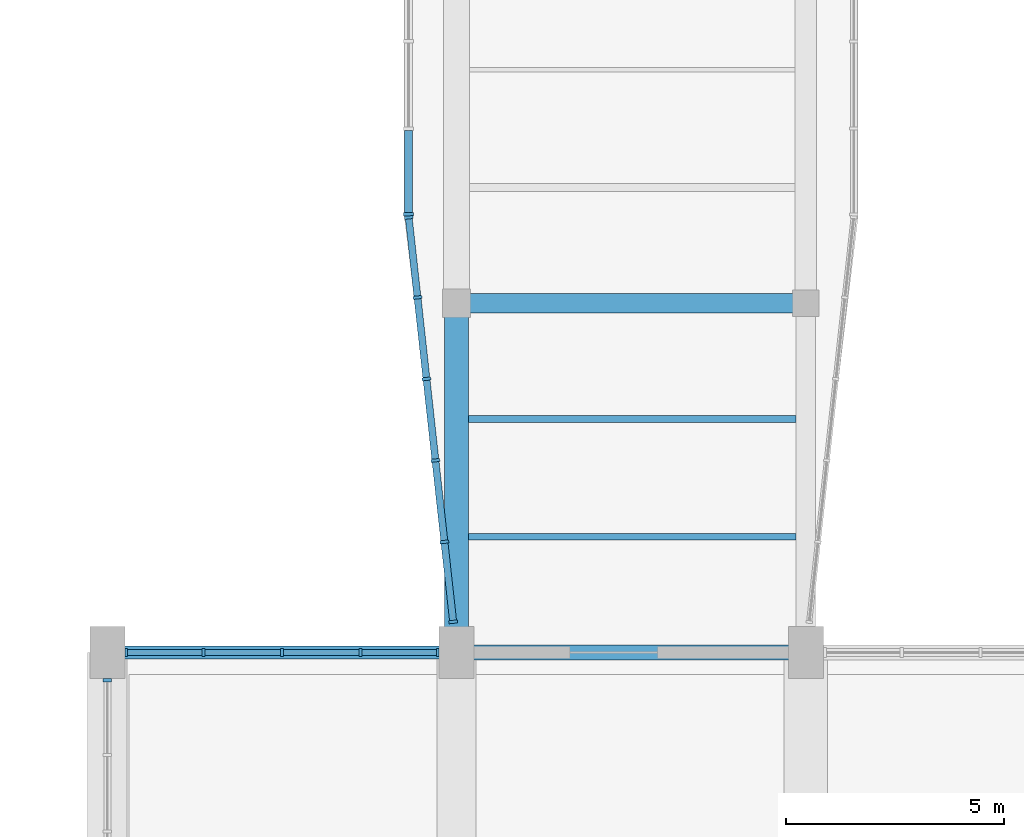
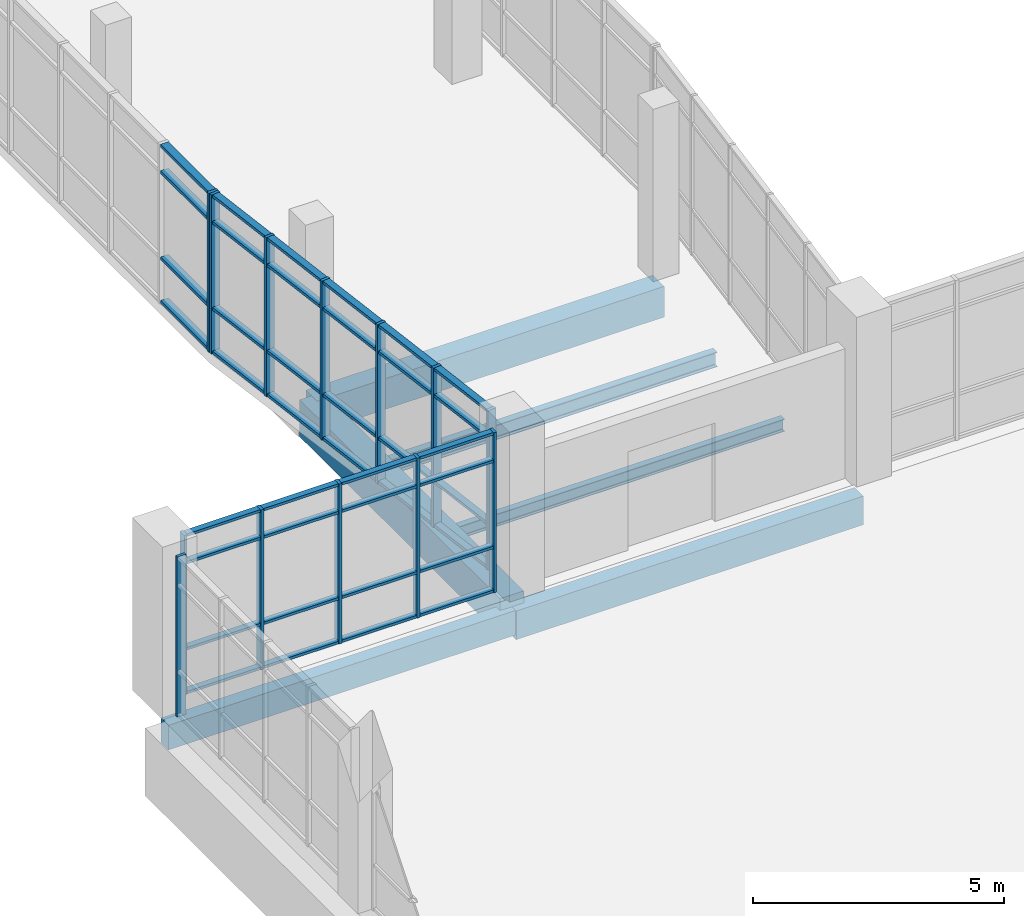
# One storey, part 10 of 84: 53 members, 6 beams, 4 elements without a shape of their own.
"""IFC4 building model written with IfcOpenShell, lengths in metres."""

from ifc_helpers import new_model, si_unit, direction, frame, origin, origin_2d, place, context, subcontext, project, spatial, rectangle, i_section, extrude, material, material_profile, profile_set, type_object, element, aggregate, save


model = new_model("IFC4")

# Units and contexts
model_context = context("Model", 3, precision=1e-05, world=origin(), true_north=direction((0.0, 1.0)))
body_context = subcontext(model_context, "Body", "Model", "MODEL_VIEW")
ifc_project = project(units=[si_unit("LENGTHUNIT", "METRE"), si_unit("AREAUNIT", "SQUARE_METRE"), si_unit("VOLUMEUNIT", "CUBIC_METRE"), si_unit("PLANEANGLEUNIT", "RADIAN"), si_unit("MASSUNIT", "GRAM", prefix="KILO")], contexts=[model_context])

# Site, building, storey
site_placement = place(None, origin())
site = spatial("IfcSite", under=ifc_project, at=site_placement, CompositionType="ELEMENT")
building_placement = place(site_placement, origin())
building = spatial("IfcBuilding", under=site, at=building_placement, Name="Tenunan Teduh Sports Hall", CompositionType="ELEMENT")
storey_placement = place(building_placement, frame((0.0, 0.0, 10.800048828125)))
storey = spatial("IfcBuildingStorey", under=building, at=storey_placement, Name="L02", CompositionType="ELEMENT", Elevation=10.800048828125)

# Beams
ifc_material_1 = material(Name="Concrete C40/50", Category="concrete")
ifc_material_profile_1 = material_profile(ifc_material_1, rectangle(XDim=0.300048828125, YDim=0.60009765625, at=origin_2d()), Name="RCB 300x600")
ifc_profile_set_1 = profile_set([ifc_material_profile_1], Name="Concrete C40/50")
beam_type_1 = type_object("IfcBeamType", Name="BM-RC-300x600", PredefinedType="BEAM", material=ifc_profile_set_1)
beam_1_placement = place(storey_placement, frame((6.0, 46.0, -0.85009765625), z_axis=(1.0, 0.0, 0.0), x_axis=(0.0, 1.0, 0.0)))
element("IfcBeam", 1, at=beam_1_placement, inside=storey, type_object=beam_type_1, Name="BM-B-03-L02-1464", PredefinedType="BEAM", context=body_context, shape_type="SweptSolid", body=[
    extrude(rectangle(XDim=0.300048828125, YDim=0.60009765625, at=origin_2d()), origin(), (0.0, 0.0, 1.0), 8.0),
])
ifc_material_2 = material(Name="Concrete C40/50", Category="concrete")
ifc_material_profile_2 = material_profile(ifc_material_2, rectangle(XDim=0.35009765625, YDim=0.699951171875, at=origin_2d()), Name="RCB 350x700")
ifc_profile_set_2 = profile_set([ifc_material_profile_2], Name="Concrete C40/50")
beam_type_2 = type_object("IfcBeamType", Name="BM-RC-350x700", PredefinedType="BEAM", material=ifc_profile_set_2)
beam_2_placement = place(storey_placement, frame((14.0, 46.0, -0.900146484375), z_axis=(1.0, 0.0, 0.0), x_axis=(0.0, 1.0, 0.0)))
element("IfcBeam", 2, at=beam_2_placement, inside=storey, type_object=beam_type_2, Name="BM-B-06-L02-1465", PredefinedType="BEAM", context=body_context, shape_type="SweptSolid", body=[
    extrude(rectangle(XDim=0.35009765625, YDim=0.699951171875, at=origin_2d()), origin(), (0.0, 0.0, 1.0), 8.0),
])
ifc_material_3 = material(Name="Concrete C40/50", Category="concrete")
ifc_material_profile_3 = material_profile(ifc_material_3, rectangle(XDim=0.449951171875, YDim=0.75, at=origin_2d()), Name="RCB 450x750")
ifc_profile_set_3 = profile_set([ifc_material_profile_3], Name="Concrete C40/50")
beam_type_3 = type_object("IfcBeamType", Name="BM-RC-450x750", PredefinedType="BEAM", material=ifc_profile_set_3)
beam_3_placement = place(storey_placement, frame((14.0, 54.0, -0.635009765625), z_axis=(1.0, 0.0, 0.0), x_axis=(0.0, 1.0, 0.0)))
element("IfcBeam", 3, at=beam_3_placement, inside=storey, type_object=beam_type_3, Name="BM-B-11-L02-1476", PredefinedType="BEAM", context=body_context, shape_type="SweptSolid", body=[
    extrude(rectangle(XDim=0.449951171875, YDim=0.75, at=origin_2d()), origin(), (0.0, 0.0, 1.0), 8.0),
])
ifc_material_4 = material(Name="Concrete C40/50", Category="concrete")
ifc_material_profile_4 = material_profile(ifc_material_4, rectangle(XDim=0.550048828125, YDim=0.89990234375, at=origin_2d()), Name="RCB 550x900")
ifc_profile_set_4 = profile_set([ifc_material_profile_4], Name="Concrete C40/50")
beam_type_4 = type_object("IfcBeamType", Name="BM-RC-550x900", PredefinedType="BEAM", material=ifc_profile_set_4)
beam_4_placement = place(storey_placement, frame((14.0, 46.0, -0.7099609375), z_axis=(0.0, 1.0, 0.0), x_axis=(-1.0, 0.0, 0.0)))
element("IfcBeam", 4, at=beam_4_placement, inside=storey, type_object=beam_type_4, Name="BM-B-16-L02-1575", PredefinedType="BEAM", context=body_context, shape_type="SweptSolid", body=[
    extrude(rectangle(XDim=0.550048828125, YDim=0.89990234375, at=origin_2d()), origin(), (0.0, 0.0, 1.0), 8.0),
])

# Curtain wall, members
ifc_material_5 = material(Name="Anodised aluminium", Category="aluminium")
curtain_wall_type_1 = type_object("IfcCurtainWallType", Name="CW-UNIT-2", PredefinedType="NOTDEFINED", material=ifc_material_5)
curtain_wall_1_placement = place(storey_placement, origin())
curtain_wall_1 = element("IfcCurtainWall", 5, at=curtain_wall_1_placement, inside=storey, type_object=curtain_wall_type_1, Name="CW-CWM-175-L02-058", PredefinedType="NOTDEFINED")
ifc_material_6 = material(Name="Anodised aluminium", Category="aluminium")
ifc_material_profile_5 = material_profile(ifc_material_6, rectangle(XDim=0.06494140625, YDim=0.175048828125, at=origin_2d()), Name="CWM 65x175")
ifc_profile_set_5 = profile_set([ifc_material_profile_5], Name="Anodised aluminium")
member_type_1 = type_object("IfcMemberType", Name="CWM-175", PredefinedType="MULLION", material=ifc_profile_set_5)
member_1_placement = place(storey_placement, frame((6.4326171875, 46.0, 0.0), z_axis=(0.0, 0.0, 1.0), x_axis=(1.0, 0.0, 0.0)))
member_1 = element("IfcMember", 6, at=member_1_placement, type_object=member_type_1, Name="CW-02 mullion 1", PredefinedType="MULLION", context=body_context, shape_type="SweptSolid", body=[
    extrude(rectangle(XDim=0.06494140625, YDim=0.175048828125, at=origin_2d()), origin(), (0.0, 0.0, 1.0), 3.89990234375),
])
member_2_placement = place(storey_placement, frame((8.199951171875, 46.0, 0.0), z_axis=(0.0, 0.0, 1.0), x_axis=(1.0, 0.0, 0.0)))
member_2 = element("IfcMember", 7, at=member_2_placement, type_object=member_type_1, Name="CW-02 mullion 2", PredefinedType="MULLION", context=body_context, shape_type="SweptSolid", body=[
    extrude(rectangle(XDim=0.06494140625, YDim=0.175048828125, at=origin_2d()), origin(), (0.0, 0.0, 1.0), 3.89990234375),
])
member_3_placement = place(storey_placement, frame((10.0, 46.0, 0.0), z_axis=(0.0, 0.0, 1.0), x_axis=(1.0, 0.0, 0.0)))
member_3 = element("IfcMember", 8, at=member_3_placement, type_object=member_type_1, Name="CW-02 mullion 3", PredefinedType="MULLION", context=body_context, shape_type="SweptSolid", body=[
    extrude(rectangle(XDim=0.06494140625, YDim=0.175048828125, at=origin_2d()), origin(), (0.0, 0.0, 1.0), 3.89990234375),
])
member_4_placement = place(storey_placement, frame((11.800048828125, 46.0, 0.0), z_axis=(0.0, 0.0, 1.0), x_axis=(1.0, 0.0, 0.0)))
member_4 = element("IfcMember", 9, at=member_4_placement, type_object=member_type_1, Name="CW-02 mullion 4", PredefinedType="MULLION", context=body_context, shape_type="SweptSolid", body=[
    extrude(rectangle(XDim=0.06494140625, YDim=0.175048828125, at=origin_2d()), origin(), (0.0, 0.0, 1.0), 3.89990234375),
])
member_5_placement = place(storey_placement, frame((13.5673828125, 46.0, 0.0), z_axis=(0.0, 0.0, 1.0), x_axis=(1.0, 0.0, 0.0)))
member_5 = element("IfcMember", 10, at=member_5_placement, type_object=member_type_1, Name="CW-02 mullion 5", PredefinedType="MULLION", context=body_context, shape_type="SweptSolid", body=[
    extrude(rectangle(XDim=0.06494140625, YDim=0.175048828125, at=origin_2d()), origin(), (0.0, 0.0, 1.0), 3.89990234375),
])

# Curtain wall, member
curtain_wall_2_placement = place(storey_placement, origin())
curtain_wall_2 = element("IfcCurtainWall", 11, at=curtain_wall_2_placement, inside=storey, type_object=curtain_wall_type_1, Name="CW-CWM-200-L02-072", PredefinedType="NOTDEFINED")
ifc_material_7 = material(Name="Anodised aluminium", Category="aluminium")
ifc_material_profile_6 = material_profile(ifc_material_7, rectangle(XDim=0.070068359375, YDim=0.199951171875, at=origin_2d()), Name="CWM 70x200")
ifc_profile_set_6 = profile_set([ifc_material_profile_6], Name="Anodised aluminium")
member_type_2 = type_object("IfcMemberType", Name="CWM-200", PredefinedType="MULLION", material=ifc_profile_set_6)
member_6_placement = place(storey_placement, frame((6.0, 45.364990234375, 0.0), z_axis=(0.0, 0.0, 1.0), x_axis=(0.0, 1.0, 0.0)))
member_6 = element("IfcMember", 12, at=member_6_placement, type_object=member_type_2, Name="CW-02 mullion 5", PredefinedType="MULLION", context=body_context, shape_type="SweptSolid", body=[
    extrude(rectangle(XDim=0.070068359375, YDim=0.199951171875, at=origin_2d()), origin(), (0.0, 0.0, 1.0), 3.89990234375),
])
aggregate(curtain_wall_2, [member_6])

# Curtain wall, members
ifc_material_8 = material(Name="Anodised aluminium", Category="aluminium")
curtain_wall_type_2 = type_object("IfcCurtainWallType", Name="CW-BRIDGE-1", PredefinedType="NOTDEFINED", material=ifc_material_8)
curtain_wall_3_placement = place(storey_placement, origin())
curtain_wall_3 = element("IfcCurtainWall", 13, at=curtain_wall_3_placement, inside=storey, type_object=curtain_wall_type_2, Name="CW-CWM-200-L02-184", PredefinedType="NOTDEFINED")
member_7_placement = place(storey_placement, frame((13.922607421875, 46.702880859375, 0.0), z_axis=(0.0, 0.0, 1.0), x_axis=(-0.109338770491, 0.994004543887, 0.0)))
member_7 = element("IfcMember", 14, at=member_7_placement, type_object=member_type_2, Name="CW-05 mullion 1", PredefinedType="MULLION", context=body_context, shape_type="SweptSolid", body=[
    extrude(rectangle(XDim=0.070068359375, YDim=0.199951171875, at=origin_2d()), origin(), (0.0, 0.0, 1.0), 3.8798828125),
])
member_8_placement = place(storey_placement, frame((13.72119140625, 48.534423828125, 0.0), z_axis=(0.0, 0.0, 1.0), x_axis=(-0.109338770491, 0.994004543887, 0.0)))
member_8 = element("IfcMember", 15, at=member_8_placement, type_object=member_type_2, Name="CW-05 mullion 2", PredefinedType="MULLION", context=body_context, shape_type="SweptSolid", body=[
    extrude(rectangle(XDim=0.070068359375, YDim=0.199951171875, at=origin_2d()), origin(), (0.0, 0.0, 1.0), 3.8798828125),
])
member_9_placement = place(storey_placement, frame((13.515869140625, 50.40087890625, 0.0), z_axis=(0.0, 0.0, 1.0), x_axis=(-0.109338770491, 0.994004543887, 0.0)))
member_9 = element("IfcMember", 16, at=member_9_placement, type_object=member_type_2, Name="CW-05 mullion 3", PredefinedType="MULLION", context=body_context, shape_type="SweptSolid", body=[
    extrude(rectangle(XDim=0.070068359375, YDim=0.199951171875, at=origin_2d()), origin(), (0.0, 0.0, 1.0), 3.8798828125),
])
member_10_placement = place(storey_placement, frame((13.310546875, 52.267333984375, 0.0), z_axis=(0.0, 0.0, 1.0), x_axis=(-0.109338770491, 0.994004543887, 0.0)))
member_10 = element("IfcMember", 17, at=member_10_placement, type_object=member_type_2, Name="CW-05 mullion 4", PredefinedType="MULLION", context=body_context, shape_type="SweptSolid", body=[
    extrude(rectangle(XDim=0.070068359375, YDim=0.199951171875, at=origin_2d()), origin(), (0.0, 0.0, 1.0), 3.8798828125),
])
member_11_placement = place(storey_placement, frame((13.105224609375, 54.133544921875, 0.0), z_axis=(0.0, 0.0, 1.0), x_axis=(-0.109338770491, 0.994004543887, 0.0)))
member_11 = element("IfcMember", 18, at=member_11_placement, type_object=member_type_2, Name="CW-05 mullion 5", PredefinedType="MULLION", context=body_context, shape_type="SweptSolid", body=[
    extrude(rectangle(XDim=0.070068359375, YDim=0.199951171875, at=origin_2d()), origin(), (0.0, 0.0, 1.0), 3.8798828125),
])
member_12_placement = place(storey_placement, frame((12.90380859375, 55.965087890625, 0.0), z_axis=(0.0, 0.0, 1.0), x_axis=(-0.109338770491, 0.994004543887, 0.0)))
member_12 = element("IfcMember", 19, at=member_12_placement, type_object=member_type_2, Name="CW-05 mullion 6", PredefinedType="MULLION", context=body_context, shape_type="SweptSolid", body=[
    extrude(rectangle(XDim=0.070068359375, YDim=0.199951171875, at=origin_2d()), origin(), (0.0, 0.0, 1.0), 3.8798828125),
])

# Curtain wall, member
curtain_wall_4_placement = place(storey_placement, origin())
curtain_wall_4 = element("IfcCurtainWall", 20, at=curtain_wall_4_placement, inside=storey, type_object=curtain_wall_type_2, Name="CW-CWM-220-L02-185", PredefinedType="NOTDEFINED")
ifc_material_9 = material(Name="Anodised aluminium", Category="aluminium")
ifc_material_profile_7 = material_profile(ifc_material_9, rectangle(XDim=0.074951171875, YDim=0.219970703125, at=origin_2d()), Name="CWM 75x220")
ifc_profile_set_7 = profile_set([ifc_material_profile_7], Name="Anodised aluminium")
member_type_3 = type_object("IfcMemberType", Name="CWM-220", PredefinedType="MULLION", material=ifc_profile_set_7)
member_13_placement = place(storey_placement, frame((12.89990234375, 56.03759765625, 0.0), z_axis=(0.0, 0.0, 1.0), x_axis=(0.0, 1.0, 0.0)))
member_13 = element("IfcMember", 21, at=member_13_placement, type_object=member_type_3, Name="CW-05 mullion 1", PredefinedType="MULLION", context=body_context, shape_type="SweptSolid", body=[
    extrude(rectangle(XDim=0.074951171875, YDim=0.219970703125, at=origin_2d()), origin(), (0.0, 0.0, 1.0), 3.8798828125),
])

# Member
ifc_material_10 = material(Name="Anodised aluminium", Category="aluminium")
ifc_material_profile_8 = material_profile(ifc_material_10, rectangle(XDim=0.06494140625, YDim=0.139892578125, at=origin_2d()), Name="CWT 65x140")
ifc_profile_set_8 = profile_set([ifc_material_profile_8], Name="Anodised aluminium")
member_type_4 = type_object("IfcMemberType", Name="CWT-150", PredefinedType="USERDEFINED", material=ifc_profile_set_8)
member_14_placement = place(storey_placement, frame((6.465087890625, 46.0, 0.032470703125), z_axis=(1.0, 0.0, 0.0), x_axis=(0.0, 0.0, 1.0)))
member_14 = element("IfcMember", 22, at=member_14_placement, type_object=member_type_4, Name="CW-02 transom 1.1", ObjectType="TRANSOM", PredefinedType="USERDEFINED", context=body_context, shape_type="SweptSolid", body=[
    extrude(rectangle(XDim=0.06494140625, YDim=0.139892578125, at=origin_2d()), origin(), (0.0, 0.0, 1.0), 1.702392578125),
])

member_15_placement = place(storey_placement, frame((6.465087890625, 46.0, 1.099853515625), z_axis=(1.0, 0.0, 0.0), x_axis=(0.0, 0.0, 1.0)))
member_15 = element("IfcMember", 23, at=member_15_placement, type_object=member_type_4, Name="CW-02 transom 1.2", ObjectType="TRANSOM", PredefinedType="USERDEFINED", context=body_context, shape_type="SweptSolid", body=[
    extrude(rectangle(XDim=0.06494140625, YDim=0.139892578125, at=origin_2d()), origin(), (0.0, 0.0, 1.0), 1.702392578125),
])

member_16_placement = place(storey_placement, frame((6.465087890625, 46.0, 3.199951171875), z_axis=(1.0, 0.0, 0.0), x_axis=(0.0, 0.0, 1.0)))
member_16 = element("IfcMember", 24, at=member_16_placement, type_object=member_type_4, Name="CW-02 transom 1.3", ObjectType="TRANSOM", PredefinedType="USERDEFINED", context=body_context, shape_type="SweptSolid", body=[
    extrude(rectangle(XDim=0.06494140625, YDim=0.139892578125, at=origin_2d()), origin(), (0.0, 0.0, 1.0), 1.702392578125),
])

member_17_placement = place(storey_placement, frame((6.465087890625, 46.0, 3.867431640625), z_axis=(1.0, 0.0, 0.0), x_axis=(0.0, 0.0, 1.0)))
member_17 = element("IfcMember", 25, at=member_17_placement, type_object=member_type_4, Name="CW-02 transom 1.4", ObjectType="TRANSOM", PredefinedType="USERDEFINED", context=body_context, shape_type="SweptSolid", body=[
    extrude(rectangle(XDim=0.06494140625, YDim=0.139892578125, at=origin_2d()), origin(), (0.0, 0.0, 1.0), 1.702392578125),
])

member_18_placement = place(storey_placement, frame((8.232421875, 46.0, 0.032470703125), z_axis=(1.0, 0.0, 0.0), x_axis=(0.0, 0.0, 1.0)))
member_18 = element("IfcMember", 26, at=member_18_placement, type_object=member_type_4, Name="CW-02 transom 2.1", ObjectType="TRANSOM", PredefinedType="USERDEFINED", context=body_context, shape_type="SweptSolid", body=[
    extrude(rectangle(XDim=0.06494140625, YDim=0.139892578125, at=origin_2d()), origin(), (0.0, 0.0, 1.0), 1.735107421875),
])

member_19_placement = place(storey_placement, frame((8.232421875, 46.0, 1.099853515625), z_axis=(1.0, 0.0, 0.0), x_axis=(0.0, 0.0, 1.0)))
member_19 = element("IfcMember", 27, at=member_19_placement, type_object=member_type_4, Name="CW-02 transom 2.2", ObjectType="TRANSOM", PredefinedType="USERDEFINED", context=body_context, shape_type="SweptSolid", body=[
    extrude(rectangle(XDim=0.06494140625, YDim=0.139892578125, at=origin_2d()), origin(), (0.0, 0.0, 1.0), 1.735107421875),
])

member_20_placement = place(storey_placement, frame((8.232421875, 46.0, 3.199951171875), z_axis=(1.0, 0.0, 0.0), x_axis=(0.0, 0.0, 1.0)))
member_20 = element("IfcMember", 28, at=member_20_placement, type_object=member_type_4, Name="CW-02 transom 2.3", ObjectType="TRANSOM", PredefinedType="USERDEFINED", context=body_context, shape_type="SweptSolid", body=[
    extrude(rectangle(XDim=0.06494140625, YDim=0.139892578125, at=origin_2d()), origin(), (0.0, 0.0, 1.0), 1.735107421875),
])

member_21_placement = place(storey_placement, frame((8.232421875, 46.0, 3.867431640625), z_axis=(1.0, 0.0, 0.0), x_axis=(0.0, 0.0, 1.0)))
member_21 = element("IfcMember", 29, at=member_21_placement, type_object=member_type_4, Name="CW-02 transom 2.4", ObjectType="TRANSOM", PredefinedType="USERDEFINED", context=body_context, shape_type="SweptSolid", body=[
    extrude(rectangle(XDim=0.06494140625, YDim=0.139892578125, at=origin_2d()), origin(), (0.0, 0.0, 1.0), 1.735107421875),
])

member_22_placement = place(storey_placement, frame((10.032470703125, 46.0, 0.032470703125), z_axis=(1.0, 0.0, 0.0), x_axis=(0.0, 0.0, 1.0)))
member_22 = element("IfcMember", 30, at=member_22_placement, type_object=member_type_4, Name="CW-02 transom 3.1", ObjectType="TRANSOM", PredefinedType="USERDEFINED", context=body_context, shape_type="SweptSolid", body=[
    extrude(rectangle(XDim=0.06494140625, YDim=0.139892578125, at=origin_2d()), origin(), (0.0, 0.0, 1.0), 1.735107421875),
])

member_23_placement = place(storey_placement, frame((10.032470703125, 46.0, 1.099853515625), z_axis=(1.0, 0.0, 0.0), x_axis=(0.0, 0.0, 1.0)))
member_23 = element("IfcMember", 31, at=member_23_placement, type_object=member_type_4, Name="CW-02 transom 3.2", ObjectType="TRANSOM", PredefinedType="USERDEFINED", context=body_context, shape_type="SweptSolid", body=[
    extrude(rectangle(XDim=0.06494140625, YDim=0.139892578125, at=origin_2d()), origin(), (0.0, 0.0, 1.0), 1.735107421875),
])

member_24_placement = place(storey_placement, frame((10.032470703125, 46.0, 3.199951171875), z_axis=(1.0, 0.0, 0.0), x_axis=(0.0, 0.0, 1.0)))
member_24 = element("IfcMember", 32, at=member_24_placement, type_object=member_type_4, Name="CW-02 transom 3.3", ObjectType="TRANSOM", PredefinedType="USERDEFINED", context=body_context, shape_type="SweptSolid", body=[
    extrude(rectangle(XDim=0.06494140625, YDim=0.139892578125, at=origin_2d()), origin(), (0.0, 0.0, 1.0), 1.735107421875),
])

member_25_placement = place(storey_placement, frame((10.032470703125, 46.0, 3.867431640625), z_axis=(1.0, 0.0, 0.0), x_axis=(0.0, 0.0, 1.0)))
member_25 = element("IfcMember", 33, at=member_25_placement, type_object=member_type_4, Name="CW-02 transom 3.4", ObjectType="TRANSOM", PredefinedType="USERDEFINED", context=body_context, shape_type="SweptSolid", body=[
    extrude(rectangle(XDim=0.06494140625, YDim=0.139892578125, at=origin_2d()), origin(), (0.0, 0.0, 1.0), 1.735107421875),
])

member_26_placement = place(storey_placement, frame((11.83251953125, 46.0, 0.032470703125), z_axis=(1.0, 0.0, 0.0), x_axis=(0.0, 0.0, 1.0)))
member_26 = element("IfcMember", 34, at=member_26_placement, type_object=member_type_4, Name="CW-02 transom 4.1", ObjectType="TRANSOM", PredefinedType="USERDEFINED", context=body_context, shape_type="SweptSolid", body=[
    extrude(rectangle(XDim=0.06494140625, YDim=0.139892578125, at=origin_2d()), origin(), (0.0, 0.0, 1.0), 1.702392578125),
])

member_27_placement = place(storey_placement, frame((11.83251953125, 46.0, 1.099853515625), z_axis=(1.0, 0.0, 0.0), x_axis=(0.0, 0.0, 1.0)))
member_27 = element("IfcMember", 35, at=member_27_placement, type_object=member_type_4, Name="CW-02 transom 4.2", ObjectType="TRANSOM", PredefinedType="USERDEFINED", context=body_context, shape_type="SweptSolid", body=[
    extrude(rectangle(XDim=0.06494140625, YDim=0.139892578125, at=origin_2d()), origin(), (0.0, 0.0, 1.0), 1.702392578125),
])

member_28_placement = place(storey_placement, frame((11.83251953125, 46.0, 3.199951171875), z_axis=(1.0, 0.0, 0.0), x_axis=(0.0, 0.0, 1.0)))
member_28 = element("IfcMember", 36, at=member_28_placement, type_object=member_type_4, Name="CW-02 transom 4.3", ObjectType="TRANSOM", PredefinedType="USERDEFINED", context=body_context, shape_type="SweptSolid", body=[
    extrude(rectangle(XDim=0.06494140625, YDim=0.139892578125, at=origin_2d()), origin(), (0.0, 0.0, 1.0), 1.702392578125),
])

member_29_placement = place(storey_placement, frame((11.83251953125, 46.0, 3.867431640625), z_axis=(1.0, 0.0, 0.0), x_axis=(0.0, 0.0, 1.0)))
member_29 = element("IfcMember", 37, at=member_29_placement, type_object=member_type_4, Name="CW-02 transom 4.4", ObjectType="TRANSOM", PredefinedType="USERDEFINED", context=body_context, shape_type="SweptSolid", body=[
    extrude(rectangle(XDim=0.06494140625, YDim=0.139892578125, at=origin_2d()), origin(), (0.0, 0.0, 1.0), 1.702392578125),
])

aggregate(curtain_wall_1, [member_1, member_2, member_3, member_4, member_5, member_14, member_15, member_16, member_17, member_18, member_19, member_20, member_21, member_22, member_23, member_24, member_25, member_26, member_27, member_28, member_29])

ifc_material_11 = material(Name="Anodised aluminium", Category="aluminium")
ifc_material_profile_9 = material_profile(ifc_material_11, rectangle(XDim=0.074951171875, YDim=0.179931640625, at=origin_2d()), Name="CWT 75x180")
ifc_profile_set_9 = profile_set([ifc_material_profile_9], Name="Anodised aluminium")
member_type_5 = type_object("IfcMemberType", Name="CWT-180", PredefinedType="USERDEFINED", material=ifc_profile_set_9)
member_30_placement = place(storey_placement, frame((12.89990234375, 56.074951171875, 0.037353515625), z_axis=(0.0, 1.0, 0.0), x_axis=(0.0, 0.0, 1.0)))
member_30 = element("IfcMember", 38, at=member_30_placement, type_object=member_type_5, Name="CW-05 transom 1.1", ObjectType="TRANSOM", PredefinedType="USERDEFINED", context=body_context, shape_type="SweptSolid", body=[
    extrude(rectangle(XDim=0.074951171875, YDim=0.179931640625, at=origin_2d()), origin(), (0.0, 0.0, 1.0), 1.887451171875),
])

member_31_placement = place(storey_placement, frame((12.89990234375, 56.074951171875, 1.099853515625), z_axis=(0.0, 1.0, 0.0), x_axis=(0.0, 0.0, 1.0)))
member_31 = element("IfcMember", 39, at=member_31_placement, type_object=member_type_5, Name="CW-05 transom 1.2", ObjectType="TRANSOM", PredefinedType="USERDEFINED", context=body_context, shape_type="SweptSolid", body=[
    extrude(rectangle(XDim=0.074951171875, YDim=0.179931640625, at=origin_2d()), origin(), (0.0, 0.0, 1.0), 1.887451171875),
])

member_32_placement = place(storey_placement, frame((12.89990234375, 56.074951171875, 3.199951171875), z_axis=(0.0, 1.0, 0.0), x_axis=(0.0, 0.0, 1.0)))
member_32 = element("IfcMember", 40, at=member_32_placement, type_object=member_type_5, Name="CW-05 transom 1.3", ObjectType="TRANSOM", PredefinedType="USERDEFINED", context=body_context, shape_type="SweptSolid", body=[
    extrude(rectangle(XDim=0.074951171875, YDim=0.179931640625, at=origin_2d()), origin(), (0.0, 0.0, 1.0), 1.887451171875),
])

member_33_placement = place(storey_placement, frame((12.89990234375, 56.074951171875, 3.842529296875), z_axis=(0.0, 1.0, 0.0), x_axis=(0.0, 0.0, 1.0)))
member_33 = element("IfcMember", 41, at=member_33_placement, type_object=member_type_5, Name="CW-05 transom 1.4", ObjectType="TRANSOM", PredefinedType="USERDEFINED", context=body_context, shape_type="SweptSolid", body=[
    extrude(rectangle(XDim=0.074951171875, YDim=0.179931640625, at=origin_2d()), origin(), (0.0, 0.0, 1.0), 1.887451171875),
])

aggregate(curtain_wall_4, [member_13, member_30, member_31, member_32, member_33])

ifc_material_12 = material(Name="Anodised aluminium", Category="aluminium")
ifc_material_profile_10 = material_profile(ifc_material_12, rectangle(XDim=0.070068359375, YDim=0.159912109375, at=origin_2d()), Name="CWT 70x160")
ifc_profile_set_10 = profile_set([ifc_material_profile_10], Name="Anodised aluminium")
member_type_6 = type_object("IfcMemberType", Name="CWT-200", PredefinedType="USERDEFINED", material=ifc_profile_set_10)
member_34_placement = place(storey_placement, frame((13.9189453125, 46.73779296875, 0.034912109375), z_axis=(-0.109358170065, 0.994002409776, 0.0), x_axis=(0.0, 0.0, 1.0)))
member_34 = element("IfcMember", 42, at=member_34_placement, type_object=member_type_6, Name="CW-05 transom 1.1", ObjectType="TRANSOM", PredefinedType="USERDEFINED", context=body_context, shape_type="SweptSolid", body=[
    extrude(rectangle(XDim=0.070068359375, YDim=0.159912109375, at=origin_2d()), origin(), (0.0, 0.0, 1.0), 1.772705078125),
])

member_35_placement = place(storey_placement, frame((13.9189453125, 46.73779296875, 1.099853515625), z_axis=(-0.109358170065, 0.994002409776, 0.0), x_axis=(0.0, 0.0, 1.0)))
member_35 = element("IfcMember", 43, at=member_35_placement, type_object=member_type_6, Name="CW-05 transom 1.2", ObjectType="TRANSOM", PredefinedType="USERDEFINED", context=body_context, shape_type="SweptSolid", body=[
    extrude(rectangle(XDim=0.070068359375, YDim=0.159912109375, at=origin_2d()), origin(), (0.0, 0.0, 1.0), 1.772705078125),
])

member_36_placement = place(storey_placement, frame((13.9189453125, 46.73779296875, 3.199951171875), z_axis=(-0.109358170065, 0.994002409776, 0.0), x_axis=(0.0, 0.0, 1.0)))
member_36 = element("IfcMember", 44, at=member_36_placement, type_object=member_type_6, Name="CW-05 transom 1.3", ObjectType="TRANSOM", PredefinedType="USERDEFINED", context=body_context, shape_type="SweptSolid", body=[
    extrude(rectangle(XDim=0.070068359375, YDim=0.159912109375, at=origin_2d()), origin(), (0.0, 0.0, 1.0), 1.772705078125),
])

member_37_placement = place(storey_placement, frame((13.9189453125, 46.73779296875, 3.844970703125), z_axis=(-0.109358170065, 0.994002409776, 0.0), x_axis=(0.0, 0.0, 1.0)))
member_37 = element("IfcMember", 45, at=member_37_placement, type_object=member_type_6, Name="CW-05 transom 1.4", ObjectType="TRANSOM", PredefinedType="USERDEFINED", context=body_context, shape_type="SweptSolid", body=[
    extrude(rectangle(XDim=0.070068359375, YDim=0.159912109375, at=origin_2d()), origin(), (0.0, 0.0, 1.0), 1.772705078125),
])

member_38_placement = place(storey_placement, frame((13.71728515625, 48.5693359375, 0.034912109375), z_axis=(-0.109275083805, 0.994011547246, 0.0), x_axis=(0.0, 0.0, 1.0)))
member_38 = element("IfcMember", 46, at=member_38_placement, type_object=member_type_6, Name="CW-05 transom 2.1", ObjectType="TRANSOM", PredefinedType="USERDEFINED", context=body_context, shape_type="SweptSolid", body=[
    extrude(rectangle(XDim=0.070068359375, YDim=0.159912109375, at=origin_2d()), origin(), (0.0, 0.0, 1.0), 1.807373046875),
])

member_39_placement = place(storey_placement, frame((13.71728515625, 48.5693359375, 1.099853515625), z_axis=(-0.109275083805, 0.994011547246, 0.0), x_axis=(0.0, 0.0, 1.0)))
member_39 = element("IfcMember", 47, at=member_39_placement, type_object=member_type_6, Name="CW-05 transom 2.2", ObjectType="TRANSOM", PredefinedType="USERDEFINED", context=body_context, shape_type="SweptSolid", body=[
    extrude(rectangle(XDim=0.070068359375, YDim=0.159912109375, at=origin_2d()), origin(), (0.0, 0.0, 1.0), 1.807373046875),
])

member_40_placement = place(storey_placement, frame((13.71728515625, 48.5693359375, 3.199951171875), z_axis=(-0.109275083805, 0.994011547246, 0.0), x_axis=(0.0, 0.0, 1.0)))
member_40 = element("IfcMember", 48, at=member_40_placement, type_object=member_type_6, Name="CW-05 transom 2.3", ObjectType="TRANSOM", PredefinedType="USERDEFINED", context=body_context, shape_type="SweptSolid", body=[
    extrude(rectangle(XDim=0.070068359375, YDim=0.159912109375, at=origin_2d()), origin(), (0.0, 0.0, 1.0), 1.807373046875),
])

member_41_placement = place(storey_placement, frame((13.71728515625, 48.5693359375, 3.844970703125), z_axis=(-0.109275083805, 0.994011547246, 0.0), x_axis=(0.0, 0.0, 1.0)))
member_41 = element("IfcMember", 49, at=member_41_placement, type_object=member_type_6, Name="CW-05 transom 2.4", ObjectType="TRANSOM", PredefinedType="USERDEFINED", context=body_context, shape_type="SweptSolid", body=[
    extrude(rectangle(XDim=0.070068359375, YDim=0.159912109375, at=origin_2d()), origin(), (0.0, 0.0, 1.0), 1.807373046875),
])

member_42_placement = place(storey_placement, frame((13.511962890625, 50.435546875, 0.034912109375), z_axis=(-0.109260413902, 0.994013159849, 0.0), x_axis=(0.0, 0.0, 1.0)))
member_42 = element("IfcMember", 50, at=member_42_placement, type_object=member_type_6, Name="CW-05 transom 3.1", ObjectType="TRANSOM", PredefinedType="USERDEFINED", context=body_context, shape_type="SweptSolid", body=[
    extrude(rectangle(XDim=0.070068359375, YDim=0.159912109375, at=origin_2d()), origin(), (0.0, 0.0, 1.0), 1.8076171875),
])

member_43_placement = place(storey_placement, frame((13.511962890625, 50.435546875, 1.099853515625), z_axis=(-0.109260413902, 0.994013159849, 0.0), x_axis=(0.0, 0.0, 1.0)))
member_43 = element("IfcMember", 51, at=member_43_placement, type_object=member_type_6, Name="CW-05 transom 3.2", ObjectType="TRANSOM", PredefinedType="USERDEFINED", context=body_context, shape_type="SweptSolid", body=[
    extrude(rectangle(XDim=0.070068359375, YDim=0.159912109375, at=origin_2d()), origin(), (0.0, 0.0, 1.0), 1.8076171875),
])

member_44_placement = place(storey_placement, frame((13.511962890625, 50.435546875, 3.199951171875), z_axis=(-0.109260413902, 0.994013159849, 0.0), x_axis=(0.0, 0.0, 1.0)))
member_44 = element("IfcMember", 52, at=member_44_placement, type_object=member_type_6, Name="CW-05 transom 3.3", ObjectType="TRANSOM", PredefinedType="USERDEFINED", context=body_context, shape_type="SweptSolid", body=[
    extrude(rectangle(XDim=0.070068359375, YDim=0.159912109375, at=origin_2d()), origin(), (0.0, 0.0, 1.0), 1.8076171875),
])

member_45_placement = place(storey_placement, frame((13.511962890625, 50.435546875, 3.844970703125), z_axis=(-0.109260413902, 0.994013159849, 0.0), x_axis=(0.0, 0.0, 1.0)))
member_45 = element("IfcMember", 53, at=member_45_placement, type_object=member_type_6, Name="CW-05 transom 3.4", ObjectType="TRANSOM", PredefinedType="USERDEFINED", context=body_context, shape_type="SweptSolid", body=[
    extrude(rectangle(XDim=0.070068359375, YDim=0.159912109375, at=origin_2d()), origin(), (0.0, 0.0, 1.0), 1.8076171875),
])

member_46_placement = place(storey_placement, frame((13.306884765625, 52.302001953125, 0.034912109375), z_axis=(-0.109393854805, 0.993998483163, 0.0), x_axis=(0.0, 0.0, 1.0)))
member_46 = element("IfcMember", 54, at=member_46_placement, type_object=member_type_6, Name="CW-05 transom 4.1", ObjectType="TRANSOM", PredefinedType="USERDEFINED", context=body_context, shape_type="SweptSolid", body=[
    extrude(rectangle(XDim=0.070068359375, YDim=0.159912109375, at=origin_2d()), origin(), (0.0, 0.0, 1.0), 1.8076171875),
])

member_47_placement = place(storey_placement, frame((13.306884765625, 52.302001953125, 1.099853515625), z_axis=(-0.109393854805, 0.993998483163, 0.0), x_axis=(0.0, 0.0, 1.0)))
member_47 = element("IfcMember", 55, at=member_47_placement, type_object=member_type_6, Name="CW-05 transom 4.2", ObjectType="TRANSOM", PredefinedType="USERDEFINED", context=body_context, shape_type="SweptSolid", body=[
    extrude(rectangle(XDim=0.070068359375, YDim=0.159912109375, at=origin_2d()), origin(), (0.0, 0.0, 1.0), 1.8076171875),
])

member_48_placement = place(storey_placement, frame((13.306884765625, 52.302001953125, 3.199951171875), z_axis=(-0.109393854805, 0.993998483163, 0.0), x_axis=(0.0, 0.0, 1.0)))
member_48 = element("IfcMember", 56, at=member_48_placement, type_object=member_type_6, Name="CW-05 transom 4.3", ObjectType="TRANSOM", PredefinedType="USERDEFINED", context=body_context, shape_type="SweptSolid", body=[
    extrude(rectangle(XDim=0.070068359375, YDim=0.159912109375, at=origin_2d()), origin(), (0.0, 0.0, 1.0), 1.8076171875),
])

member_49_placement = place(storey_placement, frame((13.306884765625, 52.302001953125, 3.844970703125), z_axis=(-0.109393854805, 0.993998483163, 0.0), x_axis=(0.0, 0.0, 1.0)))
member_49 = element("IfcMember", 57, at=member_49_placement, type_object=member_type_6, Name="CW-05 transom 4.4", ObjectType="TRANSOM", PredefinedType="USERDEFINED", context=body_context, shape_type="SweptSolid", body=[
    extrude(rectangle(XDim=0.070068359375, YDim=0.159912109375, at=origin_2d()), origin(), (0.0, 0.0, 1.0), 1.8076171875),
])

member_50_placement = place(storey_placement, frame((13.1015625, 54.16845703125, 0.034912109375), z_axis=(-0.109358170065, 0.994002409776, 0.0), x_axis=(0.0, 0.0, 1.0)))
member_50 = element("IfcMember", 58, at=member_50_placement, type_object=member_type_6, Name="CW-05 transom 5.1", ObjectType="TRANSOM", PredefinedType="USERDEFINED", context=body_context, shape_type="SweptSolid", body=[
    extrude(rectangle(XDim=0.070068359375, YDim=0.159912109375, at=origin_2d()), origin(), (0.0, 0.0, 1.0), 1.772705078125),
])

member_51_placement = place(storey_placement, frame((13.1015625, 54.16845703125, 1.099853515625), z_axis=(-0.109358170065, 0.994002409776, 0.0), x_axis=(0.0, 0.0, 1.0)))
member_51 = element("IfcMember", 59, at=member_51_placement, type_object=member_type_6, Name="CW-05 transom 5.2", ObjectType="TRANSOM", PredefinedType="USERDEFINED", context=body_context, shape_type="SweptSolid", body=[
    extrude(rectangle(XDim=0.070068359375, YDim=0.159912109375, at=origin_2d()), origin(), (0.0, 0.0, 1.0), 1.772705078125),
])

member_52_placement = place(storey_placement, frame((13.1015625, 54.16845703125, 3.199951171875), z_axis=(-0.109358170065, 0.994002409776, 0.0), x_axis=(0.0, 0.0, 1.0)))
member_52 = element("IfcMember", 60, at=member_52_placement, type_object=member_type_6, Name="CW-05 transom 5.3", ObjectType="TRANSOM", PredefinedType="USERDEFINED", context=body_context, shape_type="SweptSolid", body=[
    extrude(rectangle(XDim=0.070068359375, YDim=0.159912109375, at=origin_2d()), origin(), (0.0, 0.0, 1.0), 1.772705078125),
])

member_53_placement = place(storey_placement, frame((13.1015625, 54.16845703125, 3.844970703125), z_axis=(-0.109358170065, 0.994002409776, 0.0), x_axis=(0.0, 0.0, 1.0)))
member_53 = element("IfcMember", 61, at=member_53_placement, type_object=member_type_6, Name="CW-05 transom 5.4", ObjectType="TRANSOM", PredefinedType="USERDEFINED", context=body_context, shape_type="SweptSolid", body=[
    extrude(rectangle(XDim=0.070068359375, YDim=0.159912109375, at=origin_2d()), origin(), (0.0, 0.0, 1.0), 1.772705078125),
])

aggregate(curtain_wall_3, [member_7, member_8, member_9, member_10, member_11, member_12, member_34, member_35, member_36, member_37, member_38, member_39, member_40, member_41, member_42, member_43, member_44, member_45, member_46, member_47, member_48, member_49, member_50, member_51, member_52, member_53])

# Beams
ifc_material_13 = material(Name="Steel S355", Category="steel")
ifc_material_profile_11 = material_profile(ifc_material_13, i_section(OverallWidth=0.14990234375, OverallDepth=0.300048828125, WebThickness=0.007080078125, FlangeThickness=0.0107421875, FilletRadius=0.014892578125, at=origin_2d()), Name="IPE 300")
ifc_profile_set_11 = profile_set([ifc_material_profile_11], Name="Steel S355")
beam_type_5 = type_object("IfcBeamType", Name="JST-IPE300", PredefinedType="JOIST", material=ifc_profile_set_11)
beam_5_placement = place(storey_placement, frame((14.27490234375, 48.64990234375, -0.41015625), z_axis=(1.0, 0.0, 0.0), x_axis=(0.0, 1.0, 0.0)))
element("IfcBeam", 62, at=beam_5_placement, inside=storey, type_object=beam_type_5, Name="BM-J-04-L02-1684", PredefinedType="JOIST", context=body_context, shape_type="SweptSolid", body=[
    extrude(i_section(OverallWidth=0.14990234375, OverallDepth=0.300048828125, WebThickness=0.007080078125, FlangeThickness=0.0107421875, FilletRadius=0.014892578125, at=origin_2d()), origin(), (0.0, 0.0, 1.0), 7.5),
])
ifc_material_14 = material(Name="Steel S355", Category="steel")
ifc_material_profile_12 = material_profile(ifc_material_14, i_section(OverallWidth=0.169921875, OverallDepth=0.360107421875, WebThickness=0.008056640625, FlangeThickness=0.0126953125, FilletRadius=0.01806640625, at=origin_2d()), Name="IPE 360")
ifc_profile_set_12 = profile_set([ifc_material_profile_12], Name="Steel S355")
beam_type_6 = type_object("IfcBeamType", Name="JST-IPE360", PredefinedType="JOIST", material=ifc_profile_set_12)
beam_6_placement = place(storey_placement, frame((14.27490234375, 51.35009765625, -0.43994140625), z_axis=(1.0, 0.0, 0.0), x_axis=(0.0, 1.0, 0.0)))
element("IfcBeam", 63, at=beam_6_placement, inside=storey, type_object=beam_type_6, Name="BM-J-05-L02-1685", PredefinedType="JOIST", context=body_context, shape_type="SweptSolid", body=[
    extrude(i_section(OverallWidth=0.169921875, OverallDepth=0.360107421875, WebThickness=0.008056640625, FlangeThickness=0.0126953125, FilletRadius=0.01806640625, at=origin_2d()), origin(), (0.0, 0.0, 1.0), 7.5),
])

save(model, "model.ifc")
